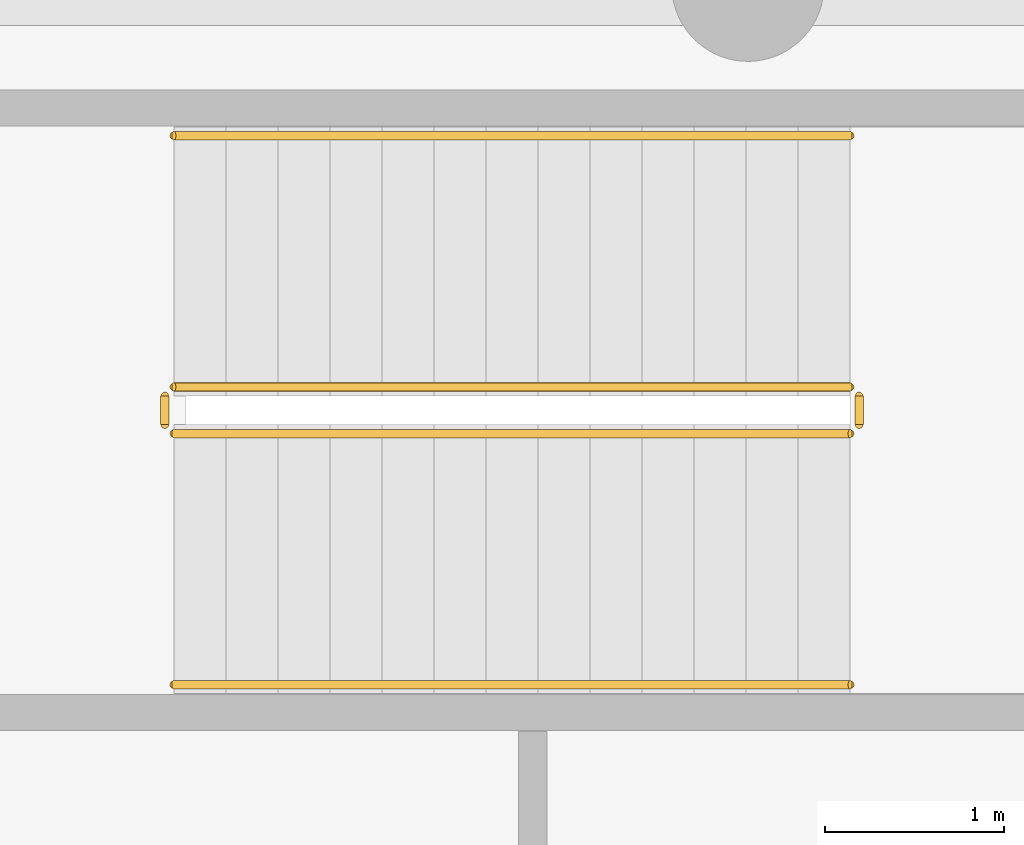
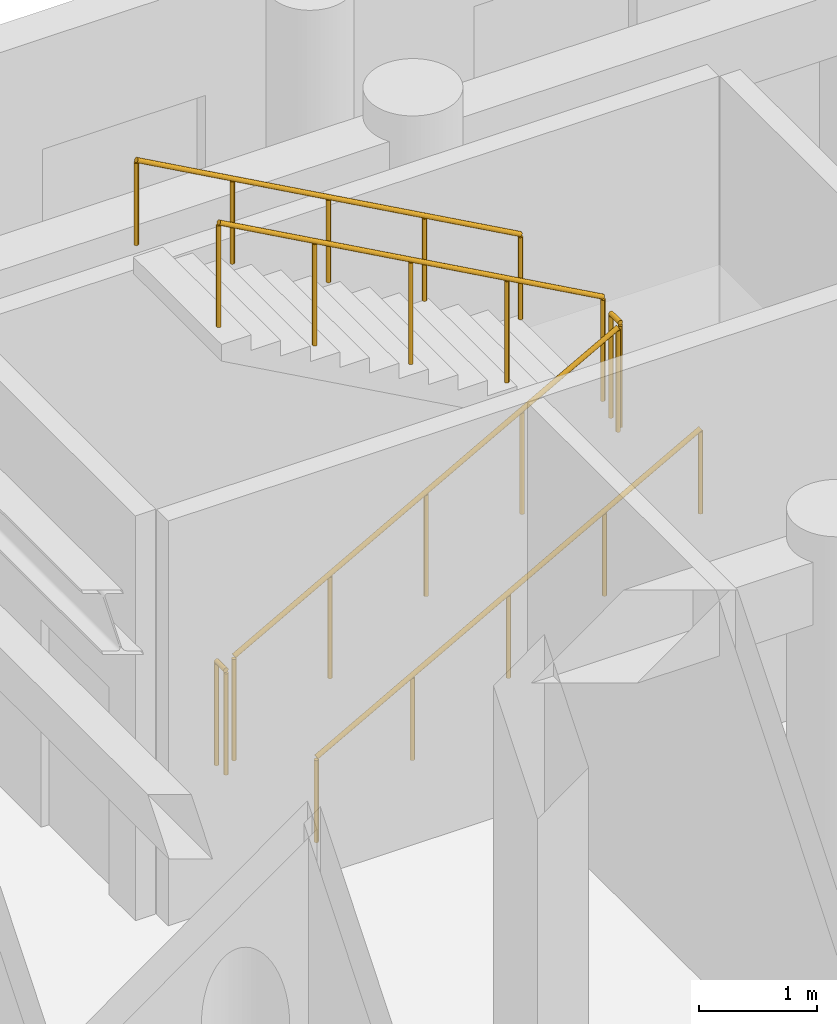
# One storey, part 26 of 26: 6 railings.
"""IFC4 building model written with IfcOpenShell, lengths in metres."""

from ifc_helpers import new_model, si_unit, direction, frame, origin, origin_2d, place, context, subcontext, project, spatial, circle, extrude, material, layer, layer_set, type_object, element, save


model = new_model("IFC4")

# Units and contexts
model_context = context("Model", 3, precision=1e-05, world=origin(), true_north=direction((0.0, 1.0)))
body_context = subcontext(model_context, "Body", "Model", "MODEL_VIEW")
ifc_project = project(units=[si_unit("LENGTHUNIT", "METRE"), si_unit("AREAUNIT", "SQUARE_METRE"), si_unit("VOLUMEUNIT", "CUBIC_METRE"), si_unit("PLANEANGLEUNIT", "RADIAN"), si_unit("MASSUNIT", "GRAM", prefix="KILO")], contexts=[model_context])

# Site, building, storey
site_placement = place(None, origin())
site = spatial("IfcSite", under=ifc_project, at=site_placement, CompositionType="ELEMENT")
building_placement = place(site_placement, origin())
building = spatial("IfcBuilding", under=site, at=building_placement, Name="Karkom Vertical University and Central Library", CompositionType="ELEMENT")
storey_placement = place(building_placement, frame((0.0, 0.0, 4.5)))
storey = spatial("IfcBuildingStorey", under=building, at=storey_placement, Name="L01", CompositionType="ELEMENT", Elevation=4.5)

# Railings
ifc_material_1 = material(Name="Painted galvanised steel balustrade", Category="steel")
ifc_layer_1 = layer(ifc_material_1, 0.06005859375)
ifc_layer_set_1 = layer_set([ifc_layer_1], Name="Painted galvanised steel balustrade")
railing_type_1 = type_object("IfcRailingType", Name="INT-RL-GUARD1100", PredefinedType="GUARDRAIL", material=ifc_layer_set_1)
railing_1_placement = place(storey_placement, frame((72.199951171875, 45.699951171875, 0.16064453125)))
element("IfcRailing", 1, at=railing_1_placement, inside=storey, type_object=railing_type_1, Name="Level 01 LIB-ST2 stair guard 1", PredefinedType="GUARDRAIL", context=body_context, shape_type="SweptSolid", body=[
    extrude(circle(Radius=0.02392578125, at=origin_2d()), frame((0.0, 0.0, 1.076171875), z_axis=(0.874659101714, 0.0, 0.484738543742), x_axis=(0.0, 1.0, 0.0)), (0.0, 0.0, 1.0), 4.310302734375),
    extrude(circle(Radius=0.02099609375, at=origin_2d()), origin(), (0.0, 0.0, 1.0), 1.052001953125),
    extrude(circle(Radius=0.02099609375, at=origin_2d()), frame((0.9423828125, 0.0, 0.5224609375)), (0.0, 0.0, 1.0), 1.052001953125),
    extrude(circle(Radius=0.02099609375, at=origin_2d()), frame((1.885009765625, 0.0, 1.044677734375)), (0.0, 0.0, 1.0), 1.052001953125),
    extrude(circle(Radius=0.02099609375, at=origin_2d()), frame((2.82763671875, 0.0, 1.56689453125)), (0.0, 0.0, 1.0), 1.052001953125),
    extrude(circle(Radius=0.02099609375, at=origin_2d()), frame((3.77001953125, 0.0, 2.08935546875)), (0.0, 0.0, 1.0), 1.052001953125),
])
railing_2_placement = place(storey_placement, frame((76.02001953125, 45.75, 2.25)))
element("IfcRailing", 2, at=railing_2_placement, inside=storey, type_object=railing_type_1, Name="Level 01 LIB-ST2 stair guard 2", PredefinedType="GUARDRAIL", context=body_context, shape_type="SweptSolid", body=[
    extrude(circle(Radius=0.02392578125, at=origin_2d()), frame((0.0, 0.0, 1.076171875), z_axis=(0.0, 1.0, 0.0), x_axis=(-1.0, 0.0, 0.0)), (0.0, 0.0, 1.0), 0.159912109375),
    extrude(circle(Radius=0.02099609375, at=origin_2d()), origin(), (0.0, 0.0, 1.0), 1.052001953125),
    extrude(circle(Radius=0.02099609375, at=origin_2d()), frame((0.0, 0.159912109375, 0.0)), (0.0, 0.0, 1.0), 1.052001953125),
])
railing_3_placement = place(storey_placement, frame((75.969970703125, 45.9599609375, 2.41064453125)))
element("IfcRailing", 3, at=railing_3_placement, inside=storey, type_object=railing_type_1, Name="Level 01 LIB-ST2 stair guard 3", PredefinedType="GUARDRAIL", context=body_context, shape_type="SweptSolid", body=[
    extrude(circle(Radius=0.02392578125, at=origin_2d()), frame((0.0, 0.0, 1.076171875), z_axis=(-0.874659101714, 0.0, 0.484738543742), x_axis=(0.0, -1.0, 0.0)), (0.0, 0.0, 1.0), 4.310302734375),
    extrude(circle(Radius=0.02099609375, at=origin_2d()), origin(), (0.0, 0.0, 1.0), 1.052001953125),
    extrude(circle(Radius=0.02099609375, at=origin_2d()), frame((-0.9423828125, 0.0, 0.5224609375)), (0.0, 0.0, 1.0), 1.052001953125),
    extrude(circle(Radius=0.02099609375, at=origin_2d()), frame((-1.885009765625, 0.0, 1.044677734375)), (0.0, 0.0, 1.0), 1.052001953125),
    extrude(circle(Radius=0.02099609375, at=origin_2d()), frame((-2.82763671875, 0.0, 1.56689453125)), (0.0, 0.0, 1.0), 1.052001953125),
    extrude(circle(Radius=0.02099609375, at=origin_2d()), frame((-3.77001953125, 0.0, 2.08935546875)), (0.0, 0.0, 1.0), 1.052001953125),
])
railing_4_placement = place(storey_placement, frame((72.14990234375, 45.75, 0.0)))
element("IfcRailing", 4, at=railing_4_placement, inside=storey, type_object=railing_type_1, Name="Level 01 LIB-ST2 stair guard 4", PredefinedType="GUARDRAIL", context=body_context, shape_type="SweptSolid", body=[
    extrude(circle(Radius=0.02392578125, at=origin_2d()), frame((0.0, 0.0, 1.076171875), z_axis=(0.0, 1.0, 0.0), x_axis=(-1.0, 0.0, 0.0)), (0.0, 0.0, 1.0), 0.159912109375),
    extrude(circle(Radius=0.02099609375, at=origin_2d()), origin(), (0.0, 0.0, 1.0), 1.052001953125),
    extrude(circle(Radius=0.02099609375, at=origin_2d()), frame((0.0, 0.159912109375, 0.0)), (0.0, 0.0, 1.0), 1.052001953125),
])
ifc_material_2 = material(Name="Brushed stainless-steel tubular handrail", Category="steel")
ifc_layer_2 = layer(ifc_material_2, 0.048095703125)
ifc_layer_set_2 = layer_set([ifc_layer_2], Name="Brushed stainless-steel tubular handrail")
railing_type_2 = type_object("IfcRailingType", Name="INT-RL-HAND920", PredefinedType="HANDRAIL", material=ifc_layer_set_2)
railing_5_placement = place(storey_placement, frame((72.199951171875, 44.300048828125, 0.16064453125)))
element("IfcRailing", 5, at=railing_5_placement, inside=storey, type_object=railing_type_2, Name="Level 01 LIB-ST2 stair handrail 1", PredefinedType="HANDRAIL", context=body_context, shape_type="SweptSolid", body=[
    extrude(circle(Radius=0.02392578125, at=origin_2d()), frame((0.0, 0.0, 0.8759765625), z_axis=(0.874659101714, 0.0, 0.484738543742), x_axis=(0.0, 1.0, 0.0)), (0.0, 0.0, 1.0), 4.310302734375),
    extrude(circle(Radius=0.02099609375, at=origin_2d()), origin(), (0.0, 0.0, 1.0), 0.851806640625),
    extrude(circle(Radius=0.02099609375, at=origin_2d()), frame((0.9423828125, 0.0, 0.5224609375)), (0.0, 0.0, 1.0), 0.851806640625),
    extrude(circle(Radius=0.02099609375, at=origin_2d()), frame((1.885009765625, 0.0, 1.044677734375)), (0.0, 0.0, 1.0), 0.851806640625),
    extrude(circle(Radius=0.02099609375, at=origin_2d()), frame((2.82763671875, 0.0, 1.56689453125)), (0.0, 0.0, 1.0), 0.851806640625),
    extrude(circle(Radius=0.02099609375, at=origin_2d()), frame((3.77001953125, 0.0, 2.08935546875)), (0.0, 0.0, 1.0), 0.851806640625),
])
railing_6_placement = place(storey_placement, frame((75.969970703125, 47.360107421875, 2.41064453125)))
element("IfcRailing", 6, at=railing_6_placement, inside=storey, type_object=railing_type_2, Name="Level 01 LIB-ST2 stair handrail 2", PredefinedType="HANDRAIL", context=body_context, shape_type="SweptSolid", body=[
    extrude(circle(Radius=0.02392578125, at=origin_2d()), frame((0.0, 0.0, 0.8759765625), z_axis=(-0.874659101714, 0.0, 0.484738543742), x_axis=(0.0, -1.0, 0.0)), (0.0, 0.0, 1.0), 4.310302734375),
    extrude(circle(Radius=0.02099609375, at=origin_2d()), origin(), (0.0, 0.0, 1.0), 0.851806640625),
    extrude(circle(Radius=0.02099609375, at=origin_2d()), frame((-0.9423828125, 0.0, 0.5224609375)), (0.0, 0.0, 1.0), 0.851806640625),
    extrude(circle(Radius=0.02099609375, at=origin_2d()), frame((-1.885009765625, 0.0, 1.044677734375)), (0.0, 0.0, 1.0), 0.851806640625),
    extrude(circle(Radius=0.02099609375, at=origin_2d()), frame((-2.82763671875, 0.0, 1.56689453125)), (0.0, 0.0, 1.0), 0.851806640625),
    extrude(circle(Radius=0.02099609375, at=origin_2d()), frame((-3.77001953125, 0.0, 2.08935546875)), (0.0, 0.0, 1.0), 0.851806640625),
])

save(model, "model.ifc")
